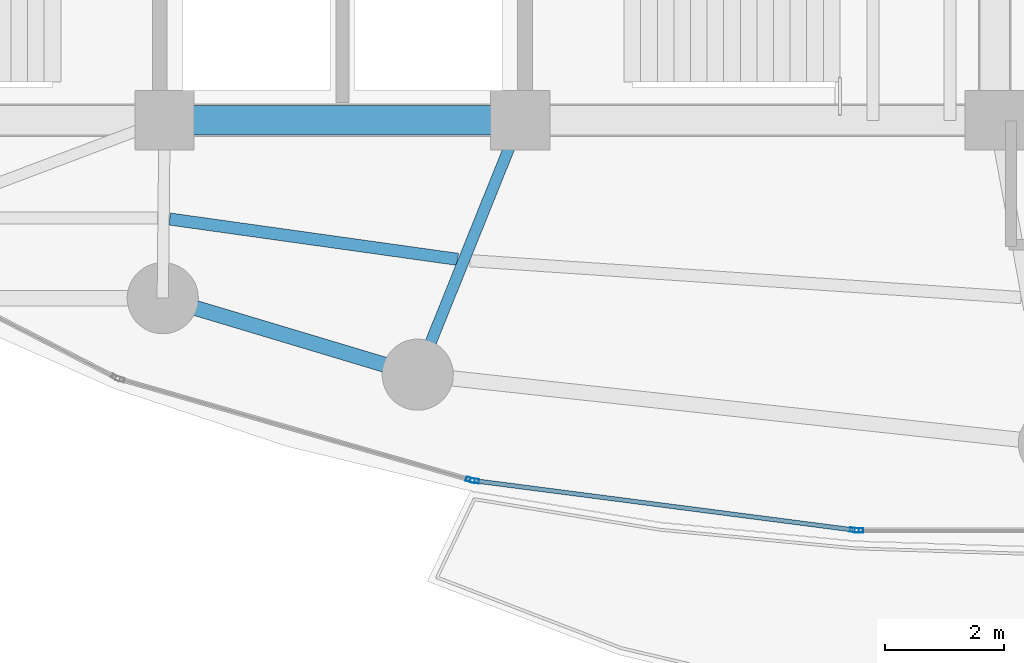
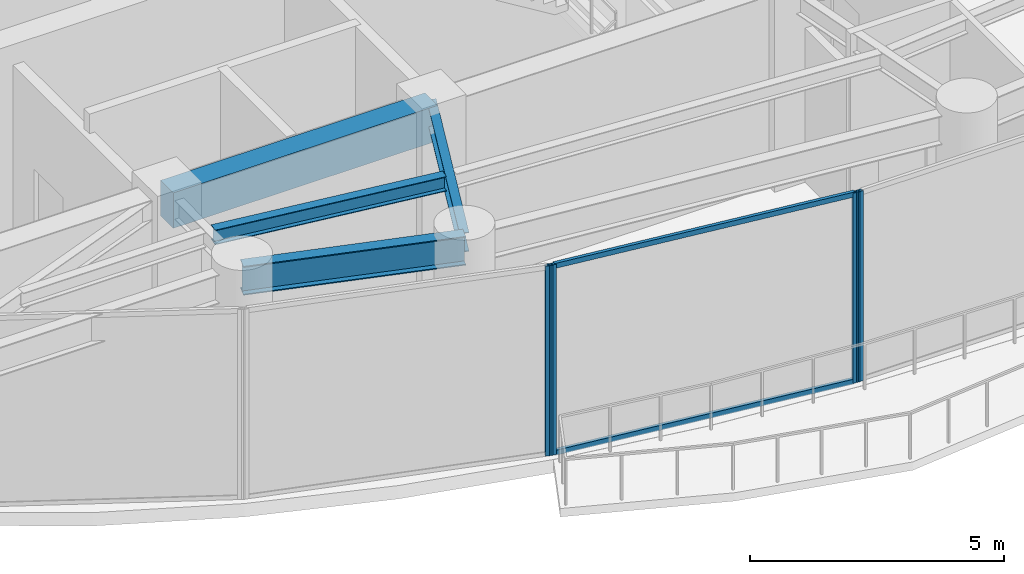
# One storey, part 5 of 30: 6 members, 4 beams, 3 elements without a shape of their own.
"""IFC4 building model written with IfcOpenShell, lengths in metres."""

from ifc_helpers import new_model, si_unit, direction, frame, origin, origin_2d, place, context, subcontext, project, spatial, rectangle, hollow_rectangle, i_section, extrude, material, layer, layer_set, material_profile, profile_set, type_object, element, aggregate, save


model = new_model("IFC4")

# Units and contexts
model_context = context("Model", 3, precision=1e-05, world=origin(), true_north=direction((0.0, 1.0)))
body_context = subcontext(model_context, "Body", "Model", "MODEL_VIEW")
ifc_project = project(units=[si_unit("LENGTHUNIT", "METRE"), si_unit("AREAUNIT", "SQUARE_METRE"), si_unit("VOLUMEUNIT", "CUBIC_METRE"), si_unit("PLANEANGLEUNIT", "RADIAN"), si_unit("MASSUNIT", "GRAM", prefix="KILO")], contexts=[model_context])

# Site, building, storey
site_placement = place(None, origin())
site = spatial("IfcSite", under=ifc_project, at=site_placement, CompositionType="ELEMENT")
building_placement = place(site_placement, origin())
building = spatial("IfcBuilding", under=site, at=building_placement, Name="Kazevale Care Tower and Concert Hall", CompositionType="ELEMENT")
storey_placement = place(building_placement, frame((0.0, 0.0, 97.800048828125)))
storey = spatial("IfcBuildingStorey", under=building, at=storey_placement, Name="L25", CompositionType="ELEMENT", Elevation=97.800048828125)

# Curtain wall, member
ifc_material_1 = material(Name="Aluminium 6063-T6 and Low-E Glass", Category="aluminium")
ifc_layer = layer(ifc_material_1, 0.179931640625)
ifc_layer_set = layer_set([ifc_layer], Name="Aluminium 6063-T6 and Low-E Glass")
curtain_wall_type = type_object("IfcCurtainWallType", Name="Sheltered Concave Balcony Curtain Wall CW-5", PredefinedType="NOTDEFINED", material=ifc_layer_set)
curtain_wall_1_placement = place(storey_placement, origin())
curtain_wall_1 = element("IfcCurtainWall", 1, at=curtain_wall_1_placement, inside=storey, type_object=curtain_wall_type, Name="cw:L25:f06", PredefinedType="NOTDEFINED")
ifc_material_2 = material(Name="Aluminium 6063-T6", Category="aluminium")
ifc_material_profile_1 = material_profile(ifc_material_2, hollow_rectangle(XDim=0.074951171875, YDim=0.14990234375, WallThickness=0.00390625, at=origin_2d()), Name="ALU75x150x4")
ifc_profile_set_1 = profile_set([ifc_material_profile_1], Name="Aluminium 6063-T6")
member_type_1 = type_object("IfcMemberType", Name="CW-5 Mullion ALU75x150x4", PredefinedType="MULLION", material=ifc_profile_set_1)
member_1_placement = place(storey_placement, frame((41.71240234375, 16.68408203125, 0.0), z_axis=(0.0, 0.0, 1.0), x_axis=(0.0, -1.0, 0.0)))
member_1 = element("IfcMember", 2, at=member_1_placement, type_object=member_type_1, Name="CW-5 mullion 2", PredefinedType="MULLION", context=body_context, shape_type="SweptSolid", body=[
    extrude(hollow_rectangle(XDim=0.074951171875, YDim=0.14990234375, WallThickness=0.00390625, at=origin_2d()), origin(), (0.0, 0.0, 1.0), 4.56005859375),
])
aggregate(curtain_wall_1, [member_1])

# Curtain wall, members
curtain_wall_2_placement = place(storey_placement, origin())
curtain_wall_2 = element("IfcCurtainWall", 3, at=curtain_wall_2_placement, inside=storey, type_object=curtain_wall_type, Name="cw:L25:f07", PredefinedType="NOTDEFINED")
member_2_placement = place(storey_placement, frame((41.6376953125, 16.688720703125, 0.0), z_axis=(0.0, 0.0, 1.0), x_axis=(-0.12868500567, -0.991685519364, 0.0)))
member_2 = element("IfcMember", 4, at=member_2_placement, type_object=member_type_1, Name="CW-5 mullion 1", PredefinedType="MULLION", context=body_context, shape_type="SweptSolid", body=[
    extrude(hollow_rectangle(XDim=0.074951171875, YDim=0.14990234375, WallThickness=0.00390625, at=origin_2d()), origin(), (0.0, 0.0, 1.0), 4.56005859375),
])
member_3_placement = place(storey_placement, frame((35.231201171875, 17.520263671875, 0.0), z_axis=(0.0, 0.0, 1.0), x_axis=(-0.12868500567, -0.991685519364, 0.0)))
member_3 = element("IfcMember", 5, at=member_3_placement, type_object=member_type_1, Name="CW-5 mullion 2", PredefinedType="MULLION", context=body_context, shape_type="SweptSolid", body=[
    extrude(hollow_rectangle(XDim=0.074951171875, YDim=0.14990234375, WallThickness=0.00390625, at=origin_2d()), origin(), (0.0, 0.0, 1.0), 4.56005859375),
])

# Curtain wall, member
curtain_wall_3_placement = place(storey_placement, origin())
curtain_wall_3 = element("IfcCurtainWall", 6, at=curtain_wall_3_placement, inside=storey, type_object=curtain_wall_type, Name="cw:L25:f08", PredefinedType="NOTDEFINED")
member_4_placement = place(storey_placement, frame((35.157958984375, 17.535400390625, 0.0), z_axis=(0.0, 0.0, 1.0), x_axis=(-0.276290733172, -0.961074102639, 0.0)))
member_4 = element("IfcMember", 7, at=member_4_placement, type_object=member_type_1, Name="CW-5 mullion 1", PredefinedType="MULLION", context=body_context, shape_type="SweptSolid", body=[
    extrude(hollow_rectangle(XDim=0.074951171875, YDim=0.14990234375, WallThickness=0.00390625, at=origin_2d()), origin(), (0.0, 0.0, 1.0), 4.56005859375),
])
aggregate(curtain_wall_3, [member_4])

# Member
ifc_material_profile_2 = material_profile(ifc_material_2, hollow_rectangle(XDim=0.074951171875, YDim=0.1201171875, WallThickness=0.00390625, at=origin_2d()), Name="ALU75x120x4")
ifc_profile_set_2 = profile_set([ifc_material_profile_2], Name="Aluminium 6063-T6")
member_type_2 = type_object("IfcMemberType", Name="CW-5 Transom ALU75x120x4", PredefinedType="USERDEFINED", material=ifc_profile_set_2)
member_5_placement = place(storey_placement, frame((41.6005859375, 16.693603515625, 0.037353515625), z_axis=(-0.991683991743, 0.12869677743, 0.0), x_axis=(-0.12869677743, -0.991683991743, 0.0)))
member_5 = element("IfcMember", 8, at=member_5_placement, type_object=member_type_2, Name="CW-5 transom 1.1", ObjectType="TRANSOM", PredefinedType="USERDEFINED", context=body_context, shape_type="SweptSolid", body=[
    extrude(hollow_rectangle(XDim=0.074951171875, YDim=0.1201171875, WallThickness=0.00390625, at=origin_2d()), origin(), (0.0, 0.0, 1.0), 6.385498046875),
])

member_6_placement = place(storey_placement, frame((41.6005859375, 16.693603515625, 4.5224609375), z_axis=(-0.991683991743, 0.12869677743, 0.0), x_axis=(-0.12869677743, -0.991683991743, 0.0)))
member_6 = element("IfcMember", 9, at=member_6_placement, type_object=member_type_2, Name="CW-5 transom 1.2", ObjectType="TRANSOM", PredefinedType="USERDEFINED", context=body_context, shape_type="SweptSolid", body=[
    extrude(hollow_rectangle(XDim=0.074951171875, YDim=0.1201171875, WallThickness=0.00390625, at=origin_2d()), origin(), (0.0, 0.0, 1.0), 6.385498046875),
])

aggregate(curtain_wall_2, [member_2, member_3, member_5, member_6])

# Beams
ifc_material_3 = material(Name="Concrete C60", Category="concrete")
ifc_material_profile_3 = material_profile(ifc_material_3, rectangle(XDim=0.5, YDim=0.85009765625, at=origin_2d()), Name="RC-B500x850")
ifc_profile_set_3 = profile_set([ifc_material_profile_3], Name="Concrete C60")
beam_type_1 = type_object("IfcBeamType", Name="Core Coupling Beam RC500x850", PredefinedType="LINTEL", material=ifc_profile_set_3)
beam_1_placement = place(storey_placement, frame((30.0, 23.60009765625, 4.135009765625), z_axis=(1.0, 0.0, 0.0), x_axis=(0.0, 1.0, 0.0)))
element("IfcBeam", 10, at=beam_1_placement, inside=storey, type_object=beam_type_1, Name="beam:L25:coretie:2", PredefinedType="LINTEL", context=body_context, shape_type="SweptSolid", body=[
    extrude(rectangle(XDim=0.5, YDim=0.85009765625, at=origin_2d()), origin(), (0.0, 0.0, 1.0), 6.0),
])
ifc_material_4 = material(Name="Steel ASTM A572 Gr 50", Category="steel")
ifc_material_profile_4 = material_profile(ifc_material_4, i_section(OverallWidth=0.19091796875, OverallDepth=0.4599609375, WebThickness=0.010009765625, FlangeThickness=0.01611328125, at=origin_2d()), Name="W460x82")
ifc_profile_set_4 = profile_set([ifc_material_profile_4], Name="Steel ASTM A572 Gr 50")
beam_type_2 = type_object("IfcBeamType", Name="Radial Floor Beam W460x82", PredefinedType="BEAM", material=ifc_profile_set_4)
beam_2_placement = place(storey_placement, frame((36.0, 23.60009765625, 4.329833984375), z_axis=(-0.373991766452, -0.927432023722, 0.0), x_axis=(0.927432023722, -0.373991766452, 0.0)))
element("IfcBeam", 11, at=beam_2_placement, inside=storey, type_object=beam_type_2, Name="beam:L25:rad:12", PredefinedType="BEAM", context=body_context, shape_type="SweptSolid", body=[
    extrude(i_section(OverallWidth=0.19091796875, OverallDepth=0.4599609375, WebThickness=0.010009765625, FlangeThickness=0.01611328125, at=origin_2d()), origin(), (0.0, 0.0, 1.0), 4.625732421875),
])
ifc_material_profile_5 = material_profile(ifc_material_4, i_section(OverallWidth=0.205078125, OverallDepth=0.35400390625, WebThickness=0.009521484375, FlangeThickness=0.016845703125, at=origin_2d()), Name="W360x79")
ifc_profile_set_5 = profile_set([ifc_material_profile_5], Name="Steel ASTM A572 Gr 50")
beam_type_3 = type_object("IfcBeamType", Name="Secondary Floor Joist W360x79", PredefinedType="JOIST", material=ifc_profile_set_5)
beam_3_placement = place(storey_placement, frame((30.0869140625, 21.93505859375, 4.383056640625), z_axis=(0.990340789942, -0.138654678164, 0.0), x_axis=(0.138654678164, 0.990340789942, 0.0)))
element("IfcBeam", 12, at=beam_3_placement, inside=storey, type_object=beam_type_3, Name="beam:L25:joist:11", PredefinedType="JOIST", context=body_context, shape_type="SweptSolid", body=[
    extrude(i_section(OverallWidth=0.205078125, OverallDepth=0.35400390625, WebThickness=0.009521484375, FlangeThickness=0.016845703125, at=origin_2d()), origin(), (0.0, 0.0, 1.0), 4.905517578125),
])
ifc_material_profile_6 = material_profile(ifc_material_4, i_section(OverallWidth=0.256103515625, OverallDepth=0.693115234375, WebThickness=0.014404296875, FlangeThickness=0.023681640625, at=origin_2d()), Name="W690x170")
ifc_profile_set_6 = profile_set([ifc_material_profile_6], Name="Steel ASTM A572 Gr 50")
beam_type_4 = type_object("IfcBeamType", Name="Waist Ring Beam W690x170", PredefinedType="BEAM", material=ifc_profile_set_6)
beam_4_placement = place(storey_placement, frame((29.969970703125, 20.60009765625, 4.21337890625), z_axis=(0.957824788464, -0.287352874709, 0.0), x_axis=(0.287352874709, 0.957824788464, 0.0)))
element("IfcBeam", 13, at=beam_4_placement, inside=storey, type_object=beam_type_4, Name="beam:L25:ring:11", PredefinedType="BEAM", context=body_context, shape_type="SweptSolid", body=[
    extrude(i_section(OverallWidth=0.256103515625, OverallDepth=0.693115234375, WebThickness=0.014404296875, FlangeThickness=0.023681640625, at=origin_2d()), origin(), (0.0, 0.0, 1.0), 4.489501953125),
])

save(model, "model.ifc")
